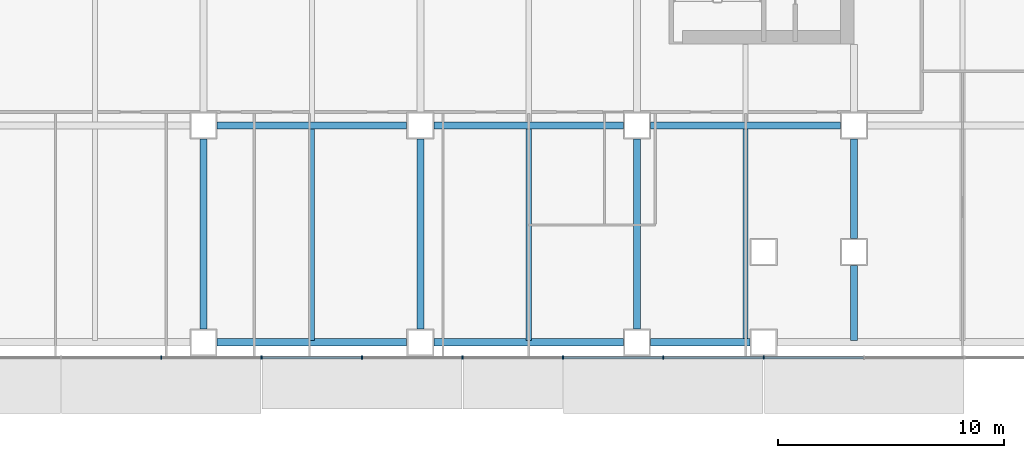
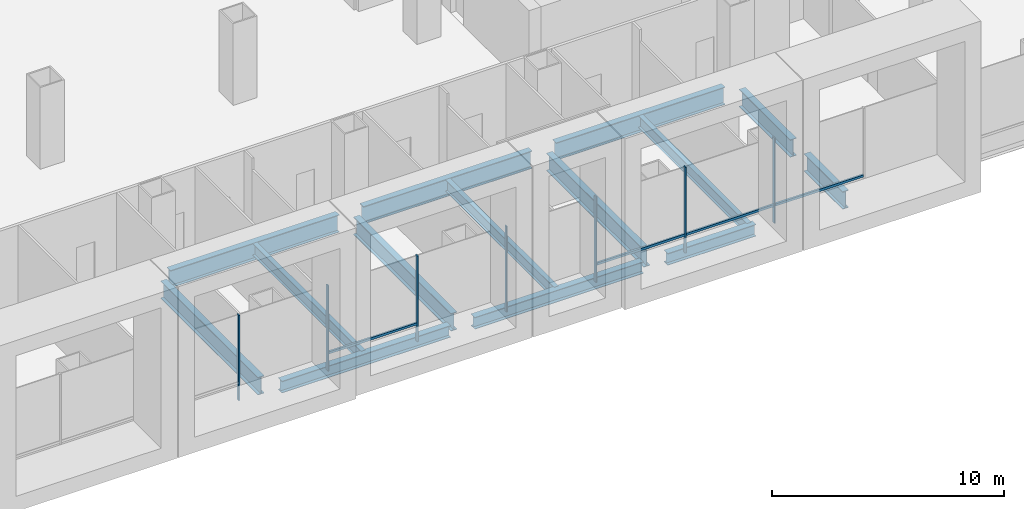
# One storey, part 4 of 23: 14 beams, 11 members, 1 element without a shape of its own.
"""IFC4 building model written with IfcOpenShell, lengths in metres."""

from ifc_helpers import new_model, si_unit, direction, frame, origin, origin_2d, place, context, subcontext, project, spatial, rectangle, i_section, extrude, material, material_profile, profile_set, type_object, element, aggregate, save


model = new_model("IFC4")

# Units and contexts
model_context = context("Model", 3, precision=1e-05, world=origin(), true_north=direction((0.0, 1.0)))
body_context = subcontext(model_context, "Body", "Model", "MODEL_VIEW")
ifc_project = project(units=[si_unit("LENGTHUNIT", "METRE"), si_unit("AREAUNIT", "SQUARE_METRE"), si_unit("VOLUMEUNIT", "CUBIC_METRE"), si_unit("PLANEANGLEUNIT", "RADIAN"), si_unit("MASSUNIT", "GRAM", prefix="KILO")], contexts=[model_context])

# Site, building, storey
site_placement = place(None, origin())
site = spatial("IfcSite", under=ifc_project, at=site_placement, CompositionType="ELEMENT")
building_placement = place(site_placement, origin())
building = spatial("IfcBuilding", under=site, at=building_placement, Name="Cobrizo Arcos Hotel Tower", CompositionType="ELEMENT")
storey_placement = place(building_placement, frame((0.0, 0.0, 24.5)))
storey = spatial("IfcBuildingStorey", under=building, at=storey_placement, Name="L04", CompositionType="ELEMENT", Elevation=24.5)

# Curtain wall, members
ifc_material_1 = material(Name="Aluminium 6063-T6 anodised bronze", Category="aluminium")
curtain_wall_type = type_object("IfcCurtainWallType", Name="CW-A guest facade", PredefinedType="NOTDEFINED", material=ifc_material_1)
curtain_wall_placement = place(storey_placement, origin())
curtain_wall = element("IfcCurtainWall", 1, at=curtain_wall_placement, inside=storey, type_object=curtain_wall_type, Name="CW-A L04 S face", PredefinedType="NOTDEFINED")
ifc_material_profile_1 = material_profile(ifc_material_1, rectangle(XDim=0.14990234375, YDim=0.06005859375, at=origin_2d()), Name="CW-A mullion 150x60")
ifc_profile_set_1 = profile_set([ifc_material_profile_1], Name="Aluminium 6063-T6 anodised bronze")
member_type_1 = type_object("IfcMemberType", Name="CW-A mullion 150x60", PredefinedType="MULLION", material=ifc_profile_set_1)
member_1_placement = place(storey_placement, frame((-6.666748046875, -24.675048828125, 0.0), z_axis=(0.0, 0.0, 1.0), x_axis=(0.0, -1.0, 0.0)))
member_1 = element("IfcMember", 2, at=member_1_placement, type_object=member_type_1, Name="CW-A mullion 8", PredefinedType="MULLION", context=body_context, shape_type="SweptSolid", body=[
    extrude(rectangle(XDim=0.14990234375, YDim=0.06005859375, at=origin_2d()), origin(), (0.0, 0.0, 1.0), 4.5),
])
member_2_placement = place(storey_placement, frame((-2.22216796875, -24.675048828125, 0.0), z_axis=(0.0, 0.0, 1.0), x_axis=(0.0, -1.0, 0.0)))
member_2 = element("IfcMember", 3, at=member_2_placement, type_object=member_type_1, Name="CW-A mullion 9", PredefinedType="MULLION", context=body_context, shape_type="SweptSolid", body=[
    extrude(rectangle(XDim=0.14990234375, YDim=0.06005859375, at=origin_2d()), origin(), (0.0, 0.0, 1.0), 4.5),
])
member_3_placement = place(storey_placement, frame((2.22216796875, -24.675048828125, 0.0), z_axis=(0.0, 0.0, 1.0), x_axis=(0.0, -1.0, 0.0)))
member_3 = element("IfcMember", 4, at=member_3_placement, type_object=member_type_1, Name="CW-A mullion 10", PredefinedType="MULLION", context=body_context, shape_type="SweptSolid", body=[
    extrude(rectangle(XDim=0.14990234375, YDim=0.06005859375, at=origin_2d()), origin(), (0.0, 0.0, 1.0), 4.5),
])
member_4_placement = place(storey_placement, frame((6.666748046875, -24.675048828125, 0.0), z_axis=(0.0, 0.0, 1.0), x_axis=(0.0, -1.0, 0.0)))
member_4 = element("IfcMember", 5, at=member_4_placement, type_object=member_type_1, Name="CW-A mullion 11", PredefinedType="MULLION", context=body_context, shape_type="SweptSolid", body=[
    extrude(rectangle(XDim=0.14990234375, YDim=0.06005859375, at=origin_2d()), origin(), (0.0, 0.0, 1.0), 4.5),
])
member_5_placement = place(storey_placement, frame((11.111083984375, -24.675048828125, 0.0), z_axis=(0.0, 0.0, 1.0), x_axis=(0.0, -1.0, 0.0)))
member_5 = element("IfcMember", 6, at=member_5_placement, type_object=member_type_1, Name="CW-A mullion 12", PredefinedType="MULLION", context=body_context, shape_type="SweptSolid", body=[
    extrude(rectangle(XDim=0.14990234375, YDim=0.06005859375, at=origin_2d()), origin(), (0.0, 0.0, 1.0), 4.5),
])
member_6_placement = place(storey_placement, frame((15.5556640625, -24.675048828125, 0.0), z_axis=(0.0, 0.0, 1.0), x_axis=(0.0, -1.0, 0.0)))
member_6 = element("IfcMember", 7, at=member_6_placement, type_object=member_type_1, Name="CW-A mullion 13", PredefinedType="MULLION", context=body_context, shape_type="SweptSolid", body=[
    extrude(rectangle(XDim=0.14990234375, YDim=0.06005859375, at=origin_2d()), origin(), (0.0, 0.0, 1.0), 4.5),
])
member_7_placement = place(storey_placement, frame((20.0, -24.675048828125, 0.0), z_axis=(0.0, 0.0, 1.0), x_axis=(0.0, -1.0, 0.0)))
member_7 = element("IfcMember", 8, at=member_7_placement, type_object=member_type_1, Name="CW-A mullion 14", PredefinedType="MULLION", context=body_context, shape_type="SweptSolid", body=[
    extrude(rectangle(XDim=0.14990234375, YDim=0.06005859375, at=origin_2d()), origin(), (0.0, 0.0, 1.0), 4.5),
])
ifc_material_profile_2 = material_profile(ifc_material_1, rectangle(XDim=0.10009765625, YDim=0.1201171875, at=origin_2d()), Name="CW-A transom 120x100")
ifc_profile_set_2 = profile_set([ifc_material_profile_2], Name="Aluminium 6063-T6 anodised bronze")
member_type_2 = type_object("IfcMemberType", Name="CW-A transom 120x100", PredefinedType="USERDEFINED", material=ifc_profile_set_2)
member_8_placement = place(storey_placement, frame((-2.192138671875, -24.675048828125, 0.929931640625), z_axis=(1.0, 0.0, 0.0), x_axis=(0.0, 1.0, 0.0)))
member_8 = element("IfcMember", 9, at=member_8_placement, type_object=member_type_2, Name="CW-A transom 260", ObjectType="TRANSOM", PredefinedType="USERDEFINED", context=body_context, shape_type="SweptSolid", body=[
    extrude(rectangle(XDim=0.10009765625, YDim=0.1201171875, at=origin_2d()), origin(), (0.0, 0.0, 1.0), 4.38427734375),
])
member_9_placement = place(storey_placement, frame((11.14111328125, -24.675048828125, 0.929931640625), z_axis=(1.0, 0.0, 0.0), x_axis=(0.0, 1.0, 0.0)))
member_9 = element("IfcMember", 10, at=member_9_placement, type_object=member_type_2, Name="CW-A transom 263", ObjectType="TRANSOM", PredefinedType="USERDEFINED", context=body_context, shape_type="SweptSolid", body=[
    extrude(rectangle(XDim=0.10009765625, YDim=0.1201171875, at=origin_2d()), origin(), (0.0, 0.0, 1.0), 4.384521484375),
])
member_10_placement = place(storey_placement, frame((15.58544921875, -24.675048828125, 0.929931640625), z_axis=(1.0, 0.0, 0.0), x_axis=(0.0, 1.0, 0.0)))
member_10 = element("IfcMember", 11, at=member_10_placement, type_object=member_type_2, Name="CW-A transom 264", ObjectType="TRANSOM", PredefinedType="USERDEFINED", context=body_context, shape_type="SweptSolid", body=[
    extrude(rectangle(XDim=0.10009765625, YDim=0.1201171875, at=origin_2d()), origin(), (0.0, 0.0, 1.0), 4.384521484375),
])
member_11_placement = place(storey_placement, frame((20.030029296875, -24.675048828125, 0.929931640625), z_axis=(1.0, 0.0, 0.0), x_axis=(0.0, 1.0, 0.0)))
member_11 = element("IfcMember", 12, at=member_11_placement, type_object=member_type_2, Name="CW-A transom 265", ObjectType="TRANSOM", PredefinedType="USERDEFINED", context=body_context, shape_type="SweptSolid", body=[
    extrude(rectangle(XDim=0.10009765625, YDim=0.1201171875, at=origin_2d()), origin(), (0.0, 0.0, 1.0), 4.384521484375),
])
aggregate(curtain_wall, [member_1, member_2, member_3, member_4, member_5, member_6, member_7, member_8, member_9, member_10, member_11])

# Beams
ifc_material_2 = material(Name="Steel ASTM A992 Grade 50", Category="steel")
ifc_material_profile_3 = material_profile(ifc_material_2, i_section(OverallWidth=0.32763671875, OverallDepth=0.622314453125, WebThickness=0.015380859375, FlangeThickness=0.0244140625, at=origin_2d()), Name="W24X131")
ifc_profile_set_3 = profile_set([ifc_material_profile_3], Name="Steel ASTM A992 Grade 50")
beam_type_1 = type_object("IfcBeamType", Name="W24X131 spandrel", PredefinedType="SPANDREL", material=ifc_profile_set_3)
beam_1_placement = place(storey_placement, frame((-4.199951171875, -24.0, -0.51123046875), z_axis=(1.0, 0.0, 0.0), x_axis=(0.0, 1.0, 0.0)))
element("IfcBeam", 13, at=beam_1_placement, inside=storey, type_object=beam_type_1, Name="Spandrel beam W24X131, L04, no. 011", PredefinedType="SPANDREL", context=body_context, shape_type="SweptSolid", body=[
    extrude(i_section(OverallWidth=0.32763671875, OverallDepth=0.622314453125, WebThickness=0.015380859375, FlangeThickness=0.0244140625, at=origin_2d()), origin(), (0.0, 0.0, 1.0), 8.39990234375),
])
beam_2_placement = place(storey_placement, frame((5.39990234375, -24.0, -0.51123046875), z_axis=(1.0, 0.0, 0.0), x_axis=(0.0, 1.0, 0.0)))
element("IfcBeam", 14, at=beam_2_placement, inside=storey, type_object=beam_type_1, Name="Spandrel beam W24X131, L04, no. 012", PredefinedType="SPANDREL", context=body_context, shape_type="SweptSolid", body=[
    extrude(i_section(OverallWidth=0.32763671875, OverallDepth=0.622314453125, WebThickness=0.015380859375, FlangeThickness=0.0244140625, at=origin_2d()), origin(), (0.0, 0.0, 1.0), 8.400146484375),
])
beam_3_placement = place(storey_placement, frame((15.0, -24.0, -0.51123046875), z_axis=(1.0, 0.0, 0.0), x_axis=(0.0, 1.0, 0.0)))
element("IfcBeam", 15, at=beam_3_placement, inside=storey, type_object=beam_type_1, Name="Spandrel beam W24X131, L04, no. 013", PredefinedType="SPANDREL", context=body_context, shape_type="SweptSolid", body=[
    extrude(i_section(OverallWidth=0.32763671875, OverallDepth=0.622314453125, WebThickness=0.015380859375, FlangeThickness=0.0244140625, at=origin_2d()), origin(), (0.0, 0.0, 1.0), 4.39990234375),
])
ifc_material_profile_4 = material_profile(ifc_material_2, i_section(OverallWidth=0.23046875, OverallDepth=0.6171875, WebThickness=0.01318359375, FlangeThickness=0.022216796875, at=origin_2d()), Name="W24X94")
ifc_profile_set_4 = profile_set([ifc_material_profile_4], Name="Steel ASTM A992 Grade 50")
beam_type_2 = type_object("IfcBeamType", Name="W24X94 podium joist", PredefinedType="JOIST", material=ifc_profile_set_4)
for number, where, z_axis, x_axis, name in (
    (16, (0.0, -23.909912109375, -0.508544921875), (0.0, 1.0, 0.0), (-1.0, 0.0, 0.0), "Podium joist PJ1, L04, no. 015"),
    (17, (9.60009765625, -23.909912109375, -0.508544921875), (0.0, 1.0, 0.0), (-1.0, 0.0, 0.0), "Podium joist PJ1, L04, no. 020"),
    (18, (19.199951171875, -23.909912109375, -0.508544921875), (0.0, 1.0, 0.0), (-1.0, 0.0, 0.0), "Podium joist PJ1, L04, no. 025"),
):
    element("IfcBeam", number, at=place(storey_placement, frame(where, z_axis=z_axis, x_axis=x_axis)), inside=storey, type_object=beam_type_2, Name=name, PredefinedType="JOIST", context=body_context, shape_type="SweptSolid", body=[
        extrude(i_section(OverallWidth=0.23046875, OverallDepth=0.6171875, WebThickness=0.01318359375, FlangeThickness=0.022216796875, at=origin_2d()), origin(), (0.0, 0.0, 1.0), 9.356201171875),
    ])
ifc_material_profile_5 = material_profile(ifc_material_2, i_section(OverallWidth=0.307373046875, OverallDepth=0.927001953125, WebThickness=0.01953125, FlangeThickness=0.031982421875, at=origin_2d()), Name="W36X194")
ifc_profile_set_5 = profile_set([ifc_material_profile_5], Name="Steel ASTM A992 Grade 50")
beam_type_3 = type_object("IfcBeamType", Name="W36X194 podium girder", PredefinedType="BEAM", material=ifc_profile_set_5)
beam_4_placement = place(storey_placement, frame((-4.199951171875, -14.39990234375, -0.66357421875), z_axis=(1.0, 0.0, 0.0), x_axis=(0.0, 1.0, 0.0)))
element("IfcBeam", 19, at=beam_4_placement, inside=storey, type_object=beam_type_3, Name="Podium girder PG1, L04, no. 005", PredefinedType="BEAM", context=body_context, shape_type="SweptSolid", body=[
    extrude(i_section(OverallWidth=0.307373046875, OverallDepth=0.927001953125, WebThickness=0.01953125, FlangeThickness=0.031982421875, at=origin_2d()), origin(), (0.0, 0.0, 1.0), 8.39990234375),
])
beam_5_placement = place(storey_placement, frame((5.39990234375, -14.39990234375, -0.66357421875), z_axis=(1.0, 0.0, 0.0), x_axis=(0.0, 1.0, 0.0)))
element("IfcBeam", 20, at=beam_5_placement, inside=storey, type_object=beam_type_3, Name="Podium girder PG1, L04, no. 006", PredefinedType="BEAM", context=body_context, shape_type="SweptSolid", body=[
    extrude(i_section(OverallWidth=0.307373046875, OverallDepth=0.927001953125, WebThickness=0.01953125, FlangeThickness=0.031982421875, at=origin_2d()), origin(), (0.0, 0.0, 1.0), 8.400146484375),
])
for number, where, z_axis, x_axis, name in (
    (21, (15.0, -14.39990234375, -0.66357421875), (1.0, 0.0, 0.0), (0.0, 1.0, 0.0), "Podium girder PG1, L04, no. 007"),
    (22, (-4.800048828125, -23.39990234375, -0.66357421875), (0.0, 1.0, 0.0), (-1.0, 0.0, 0.0), "Podium girder PG1, L04, no. 051"),
    (23, (4.800048828125, -23.39990234375, -0.66357421875), (0.0, 1.0, 0.0), (-1.0, 0.0, 0.0), "Podium girder PG1, L04, no. 056"),
    (24, (14.39990234375, -23.39990234375, -0.66357421875), (0.0, 1.0, 0.0), (-1.0, 0.0, 0.0), "Podium girder PG1, L04, no. 061"),
):
    element("IfcBeam", number, at=place(storey_placement, frame(where, z_axis=z_axis, x_axis=x_axis)), inside=storey, type_object=beam_type_3, Name=name, PredefinedType="BEAM", context=body_context, shape_type="SweptSolid", body=[
        extrude(i_section(OverallWidth=0.307373046875, OverallDepth=0.927001953125, WebThickness=0.01953125, FlangeThickness=0.031982421875, at=origin_2d()), origin(), (0.0, 0.0, 1.0), 8.39990234375),
    ])
beam_6_placement = place(storey_placement, frame((24.0, -23.909912109375, -0.66357421875), z_axis=(0.0, 1.0, 0.0), x_axis=(-1.0, 0.0, 0.0)))
element("IfcBeam", 25, at=beam_6_placement, inside=storey, type_object=beam_type_3, Name="Podium girder PG1, L04, no. 066", PredefinedType="BEAM", context=body_context, shape_type="SweptSolid", body=[
    extrude(i_section(OverallWidth=0.307373046875, OverallDepth=0.927001953125, WebThickness=0.01953125, FlangeThickness=0.031982421875, at=origin_2d()), origin(), (0.0, 0.0, 1.0), 3.309814453125),
])
beam_7_placement = place(storey_placement, frame((24.0, -19.39990234375, -0.66357421875), z_axis=(0.0, 1.0, 0.0), x_axis=(-1.0, 0.0, 0.0)))
element("IfcBeam", 26, at=beam_7_placement, inside=storey, type_object=beam_type_3, Name="Podium girder PG1, L04, no. 067", PredefinedType="BEAM", context=body_context, shape_type="SweptSolid", body=[
    extrude(i_section(OverallWidth=0.307373046875, OverallDepth=0.927001953125, WebThickness=0.01953125, FlangeThickness=0.031982421875, at=origin_2d()), origin(), (0.0, 0.0, 1.0), 4.39990234375),
])

save(model, "model.ifc")
